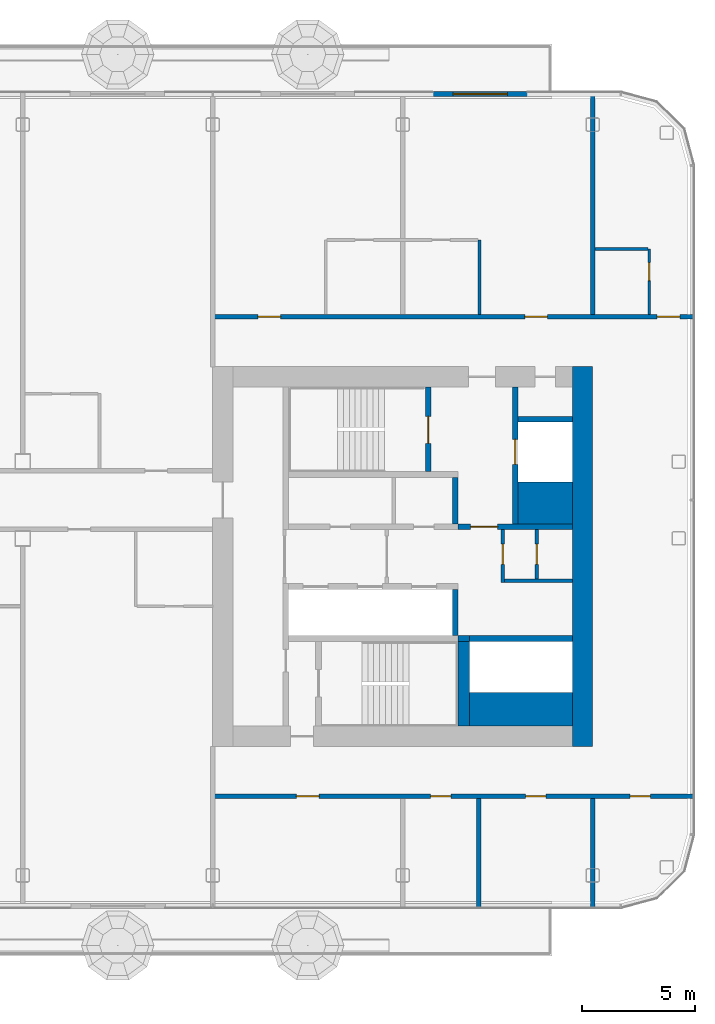
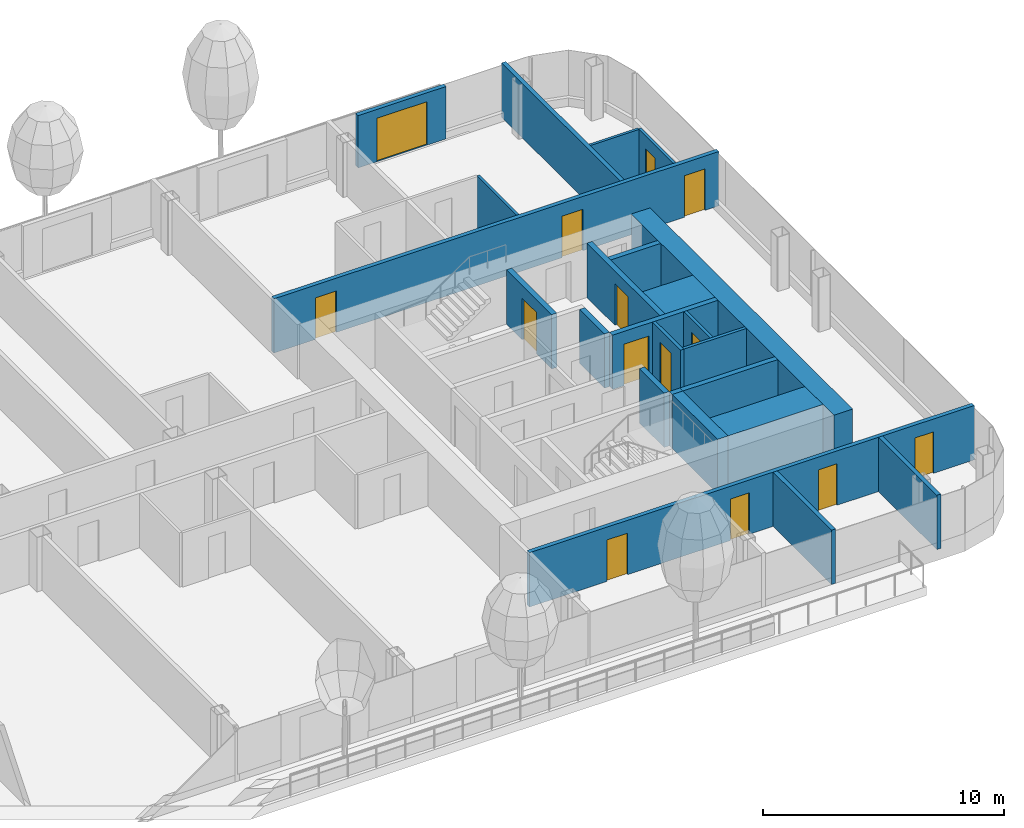
# One storey, part 15 of 28: 24 walls, 14 doors, 14 openings, 1 element without a shape of its own.
"""IFC4 building model written with IfcOpenShell, lengths in metres."""

from ifc_helpers import new_model, si_unit, direction, frame, frame_2d, origin, place, context, subcontext, project, spatial, rectangle, extrude, material, layer, layer_set, type_object, element, fill, aggregate, save


model = new_model("IFC4")

# Units and contexts
model_context = context("Model", 3, precision=1e-05, world=origin(), true_north=direction((0.0, 1.0)))
body_context = subcontext(model_context, "Body", "Model", "MODEL_VIEW")
ifc_project = project(units=[si_unit("LENGTHUNIT", "METRE"), si_unit("AREAUNIT", "SQUARE_METRE"), si_unit("VOLUMEUNIT", "CUBIC_METRE"), si_unit("PLANEANGLEUNIT", "RADIAN"), si_unit("MASSUNIT", "GRAM", prefix="KILO")], contexts=[model_context])

# Site, building, storey
site_placement = place(None, origin())
site = spatial("IfcSite", under=ifc_project, at=site_placement, CompositionType="ELEMENT")
building_placement = place(site_placement, origin())
building = spatial("IfcBuilding", under=site, at=building_placement, Name="Hakoniwa Tower and Hamabe Station Hall", CompositionType="ELEMENT")
storey_placement = place(building_placement, frame((0.0, 0.0, 218.60009765625)))
storey = spatial("IfcBuildingStorey", under=building, at=storey_placement, Name="L62", CompositionType="ELEMENT", Elevation=218.60009765625)

# Walls
ifc_material_1 = material(Name="Gypsum board partition", Category="gypsum")
ifc_layer_1 = layer(ifc_material_1, 0.125)
ifc_layer_set_1 = layer_set([ifc_layer_1], Name="Bathroom Partition 125")
wall_type_1 = type_object("IfcWallType", Name="Bathroom Partition 125", PredefinedType="PARTITIONING", material=ifc_layer_set_1)
wall_1_placement = place(storey_placement, frame((33.699951171875, 13.60009765625, 0.0), z_axis=(0.0, 0.0, 1.0), x_axis=(1.0, 0.0, 0.0)))
element("IfcWall", 1, at=wall_1_placement, inside=storey, type_object=wall_type_1, Name="GW-L62-012", PredefinedType="PARTITIONING", context=body_context, shape_type="SweptSolid", body=[
    extrude(rectangle(XDim=2.337646484375, YDim=0.125, at=frame_2d((1.1689453125, 0.0))), origin(), (0.0, 0.0, 1.0), 2.75),
])
wall_2_placement = place(storey_placement, frame((28.60009765625, 10.699951171875, 0.0), z_axis=(0.0, 0.0, 1.0), x_axis=(0.0, 1.0, 0.0)))
element("IfcWall", 2, at=wall_2_placement, inside=storey, type_object=wall_type_1, Name="GW-L62-043", PredefinedType="PARTITIONING", context=body_context, shape_type="SweptSolid", body=[
    extrude(rectangle(XDim=3.300048828125, YDim=0.125, at=frame_2d((1.64990234375, 0.0))), origin(), (0.0, 0.0, 1.0), 2.75),
])

# Wall, opening, door
wall_3_placement = place(storey_placement, frame((36.10009765625, 10.699951171875, 0.0), z_axis=(0.0, 0.0, 1.0), x_axis=(0.0, 1.0, 0.0)))
wall_3 = element("IfcWall", 3, at=wall_3_placement, inside=storey, type_object=wall_type_1, Name="GW-L62-046", PredefinedType="PARTITIONING", context=body_context, shape_type="SweptSolid", body=[
    extrude(rectangle(XDim=2.900146484375, YDim=0.125, at=frame_2d((1.4501953125, 0.0))), origin(), (0.0, 0.0, 1.0), 2.75),
])
opening_1_placement = place(wall_3_placement, frame((1.5, 0.0, 0.0)))
opening_1 = element("IfcOpeningElement", 4, at=opening_1_placement, cuts=wall_3, Name="Opening GD-G4A2-33", PredefinedType="OPENING", context=body_context, shape_type="SweptSolid", body=[
    extrude(rectangle(XDim=0.800048828125, YDim=2.10009765625, at=frame_2d((0.39990234375, 1.050048828125))), frame((0.0, 0.072509765625, 0.0), z_axis=(0.0, -1.0, 0.0), x_axis=(1.0, 0.0, 0.0)), (0.0, 0.0, 1.0), 0.14501953125),
])
ifc_material_2 = material(Name="Timber door leaf", Category="wood")
door_type_1 = type_object("IfcDoorType", Name="Bathroom Door 800", OperationType="SINGLE_SWING_LEFT", PredefinedType="DOOR", material=ifc_material_2)
door_1_placement = place(opening_1_placement, origin())
door_1 = element("IfcDoor", 5, at=door_1_placement, inside=storey, type_object=door_type_1, Name="Door GD-G4A2-33", OperationType="SINGLE_SWING_LEFT", OverallHeight=2.10009765625, OverallWidth=0.800048828125, PredefinedType="DOOR", context=body_context, shape_type="SweptSolid", body=[
    extrude(rectangle(XDim=0.800048828125, YDim=2.10009765625, at=frame_2d((0.39990234375, 1.050048828125))), frame((0.0, 0.02490234375, 0.0), z_axis=(0.0, -1.0, 0.0), x_axis=(1.0, 0.0, 0.0)), (0.0, 0.0, 1.0), 0.050048828125),
])
fill(opening_1, door_1)

ifc_material_3 = material(Name="Gypsum board partition")
ifc_layer_2 = layer(ifc_material_3, 0.14990234375)
ifc_layer_set_2 = layer_set([ifc_layer_2], Name="CORE PARTITION 150 EI 60")
wall_type_2 = type_object("IfcWallType", Name="CORE PARTITION 150 EI 60", PredefinedType="PARTITIONING", material=ifc_layer_set_2)
wall_4_placement = place(storey_placement, frame((29.625, -1.14990234375, 0.0), z_axis=(0.0, 0.0, 1.0), x_axis=(0.0, 1.0, 0.0)))
wall_4 = element("IfcWall", 6, at=wall_4_placement, inside=storey, type_object=wall_type_2, Name="Core partition PW0 east", PredefinedType="PARTITIONING", context=body_context, shape_type="SweptSolid", body=[
    extrude(rectangle(XDim=2.349853515625, YDim=0.14990234375, at=frame_2d((1.1748046875, 0.0))), origin(), (0.0, 0.0, 1.0), 2.75),
])
opening_2_placement = place(wall_4_placement, frame((0.800048828125, 0.0, 0.0)))
opening_2 = element("IfcOpeningElement", 7, at=opening_2_placement, cuts=wall_4, Name="Opening CD-E-RM1-9", PredefinedType="OPENING", context=body_context, shape_type="SweptSolid", body=[
    extrude(rectangle(XDim=0.89990234375, YDim=2.10009765625, at=frame_2d((0.449951171875, 1.050048828125))), frame((0.0, 0.0849609375, 0.0), z_axis=(0.0, -1.0, 0.0), x_axis=(1.0, 0.0, 0.0)), (0.0, 0.0, 1.0), 0.169921875),
])
ifc_material_4 = material(Name="Steel fire door", Category="steel")
door_type_2 = type_object("IfcDoorType", Name="CORE DOOR 900 FD30", OperationType="NOTDEFINED", PredefinedType="DOOR", material=ifc_material_4)
door_2_placement = place(opening_2_placement, origin())
door_2 = element("IfcDoor", 8, at=door_2_placement, inside=storey, type_object=door_type_2, Name="Store room door", OperationType="SINGLE_SWING_RIGHT", OverallHeight=2.10009765625, OverallWidth=0.89990234375, PredefinedType="DOOR", context=body_context, shape_type="SweptSolid", body=[
    extrude(rectangle(XDim=0.89990234375, YDim=2.10009765625, at=frame_2d((0.449951171875, 1.050048828125))), frame((0.0, 0.02490234375, 0.0), z_axis=(0.0, -1.0, 0.0), x_axis=(1.0, 0.0, 0.0)), (0.0, 0.0, 1.0), 0.050048828125),
])
fill(opening_2, door_2)

# Wall
wall_5_placement = place(storey_placement, frame((29.699951171875, -1.074951171875, 0.0), z_axis=(0.0, 0.0, 1.0), x_axis=(1.0, 0.0, 0.0)))
element("IfcWall", 9, at=wall_5_placement, inside=storey, type_object=wall_type_2, Name="Core partition PS east", PredefinedType="PARTITIONING", context=body_context, shape_type="SweptSolid", body=[
    extrude(rectangle(XDim=3.0, YDim=0.14990234375, at=frame_2d((1.5, 0.0))), origin(), (0.0, 0.0, 1.0), 2.75),
])

# Wall, opening, door
wall_6_placement = place(storey_placement, frame((31.125, -1.0, 0.0), z_axis=(0.0, 0.0, 1.0), x_axis=(0.0, 1.0, 0.0)))
wall_6 = element("IfcWall", 10, at=wall_6_placement, inside=storey, type_object=wall_type_2, Name="Core partition PW1 east", PredefinedType="PARTITIONING", context=body_context, shape_type="SweptSolid", body=[
    extrude(rectangle(XDim=2.199951171875, YDim=0.14990234375, at=frame_2d((1.10009765625, 0.0))), origin(), (0.0, 0.0, 1.0), 2.75),
])
opening_3_placement = place(wall_6_placement, frame((0.64990234375, 0.0, 0.0)))
opening_3 = element("IfcOpeningElement", 11, at=opening_3_placement, cuts=wall_6, Name="Opening CD-E-RM2-9", PredefinedType="OPENING", context=body_context, shape_type="SweptSolid", body=[
    extrude(rectangle(XDim=0.89990234375, YDim=2.10009765625, at=frame_2d((0.449951171875, 1.050048828125))), frame((0.0, 0.0849609375, 0.0), z_axis=(0.0, -1.0, 0.0), x_axis=(1.0, 0.0, 0.0)), (0.0, 0.0, 1.0), 0.169921875),
])
door_3_placement = place(opening_3_placement, origin())
door_3 = element("IfcDoor", 12, at=door_3_placement, inside=storey, type_object=door_type_2, Name="Store room door", OperationType="SINGLE_SWING_RIGHT", OverallHeight=2.10009765625, OverallWidth=0.89990234375, PredefinedType="DOOR", context=body_context, shape_type="SweptSolid", body=[
    extrude(rectangle(XDim=0.89990234375, YDim=2.10009765625, at=frame_2d((0.449951171875, 1.050048828125))), frame((0.0, 0.02490234375, 0.0), z_axis=(0.0, -1.0, 0.0), x_axis=(1.0, 0.0, 0.0)), (0.0, 0.0, 1.0), 0.050048828125),
])
fill(opening_3, door_3)

# Walls
ifc_material_5 = material(Name="Concrete C60", Category="concrete")
ifc_layer_3 = layer(ifc_material_5, 0.89990234375)
ifc_layer_set_3 = layer_set([ifc_layer_3], Name="CORE WALL 900 C60")
wall_type_3 = type_object("IfcWallType", Name="CORE WALL 900 C60", PredefinedType="SHEAR", material=ifc_layer_set_3)
wall_7_placement = place(storey_placement, frame((33.14990234375, -8.39990234375, 0.0), z_axis=(0.0, 0.0, 1.0), x_axis=(0.0, 1.0, 0.0)))
element("IfcWall", 13, at=wall_7_placement, inside=storey, type_object=wall_type_3, Name="Core wall OUTER east", PredefinedType="SHEAR", context=body_context, shape_type="SweptSolid", body=[
    extrude(rectangle(XDim=16.7998046875, YDim=0.89990234375, at=frame_2d((8.39990234375, 0.0))), origin(), (0.0, 0.0, 1.0), 2.75),
])
ifc_material_6 = material(Name="Concrete C60", Category="concrete")
ifc_layer_4 = layer(ifc_material_6, 1.5)
ifc_layer_set_4 = layer_set([ifc_layer_4], Name="CORE WEB WALL 1500 C60")
wall_type_4 = type_object("IfcWallType", Name="CORE WEB WALL 1500 C60", PredefinedType="SHEAR", material=ifc_layer_set_4)
wall_8_placement = place(storey_placement, frame((28.14990234375, -6.75, 0.0), z_axis=(0.0, 0.0, 1.0), x_axis=(1.0, 0.0, 0.0)))
element("IfcWall", 14, at=wall_8_placement, inside=storey, type_object=wall_type_4, Name="Core wall SER east", PredefinedType="SHEAR", context=body_context, shape_type="SweptSolid", body=[
    extrude(rectangle(XDim=4.550048828125, YDim=1.5, at=frame_2d((2.27490234375, 0.0))), origin(), (0.0, 0.0, 1.0), 2.75),
])
ifc_material_7 = material(Name="Concrete C60", Category="concrete")
ifc_layer_5 = layer(ifc_material_7, 1.85009765625)
ifc_layer_set_5 = layer_set([ifc_layer_5], Name="CORE WEB WALL 1850 C60")
wall_type_5 = type_object("IfcWallType", Name="CORE WEB WALL 1850 C60", PredefinedType="SHEAR", material=ifc_layer_set_5)
wall_9_placement = place(storey_placement, frame((30.300048828125, 2.375, 0.0), z_axis=(0.0, 0.0, 1.0), x_axis=(1.0, 0.0, 0.0)))
element("IfcWall", 15, at=wall_9_placement, inside=storey, type_object=wall_type_5, Name="Core wall CA east", PredefinedType="SHEAR", context=body_context, shape_type="SweptSolid", body=[
    extrude(rectangle(XDim=2.39990234375, YDim=1.85009765625, at=frame_2d((1.199951171875, 0.0))), origin(), (0.0, 0.0, 1.0), 2.75),
])
ifc_material_8 = material(Name="Concrete C60", Category="concrete")
ifc_layer_6 = layer(ifc_material_8, 0.25)
ifc_layer_set_6 = layer_set([ifc_layer_6], Name="CORE WEB WALL 250 C60")
wall_type_6 = type_object("IfcWallType", Name="CORE WEB WALL 250 C60", PredefinedType="SHEAR", material=ifc_layer_set_6)
wall_10_placement = place(storey_placement, frame((27.52490234375, 1.449951171875, 0.0), z_axis=(0.0, 0.0, 1.0), x_axis=(0.0, 1.0, 0.0)))
element("IfcWall", 16, at=wall_10_placement, inside=storey, type_object=wall_type_6, Name="Core wall NE east", PredefinedType="SHEAR", context=body_context, shape_type="SweptSolid", body=[
    extrude(rectangle(XDim=2.050048828125, YDim=0.25, at=frame_2d((1.02490234375, 0.0))), origin(), (0.0, 0.0, 1.0), 2.75),
])

# Wall, opening, door
wall_11_placement = place(storey_placement, frame((26.324951171875, 3.75, 0.0), z_axis=(0.0, 0.0, 1.0), x_axis=(0.0, 1.0, 0.0)))
wall_11 = element("IfcWall", 17, at=wall_11_placement, inside=storey, type_object=wall_type_6, Name="Core wall NSE east", PredefinedType="SHEAR", context=body_context, shape_type="SweptSolid", body=[
    extrude(rectangle(XDim=3.75, YDim=0.25, at=frame_2d((1.875, 0.0))), origin(), (0.0, 0.0, 1.0), 2.75),
])
opening_4_placement = place(wall_11_placement, frame((1.25, 0.0, 0.0)))
opening_4 = element("IfcOpeningElement", 18, at=opening_4_placement, cuts=wall_11, Name="Opening CD-E-SN-12", PredefinedType="OPENING", context=body_context, shape_type="SweptSolid", body=[
    extrude(rectangle(XDim=1.199951171875, YDim=2.10009765625, at=frame_2d((0.60009765625, 1.050048828125))), frame((0.0, 0.135009765625, 0.0), z_axis=(0.0, -1.0, 0.0), x_axis=(1.0, 0.0, 0.0)), (0.0, 0.0, 1.0), 0.27001953125),
])
ifc_material_9 = material(Name="Steel fire door", Category="steel")
door_type_3 = type_object("IfcDoorType", Name="CORE DOOR 1200 FD60", OperationType="DOUBLE_DOOR_SINGLE_SWING", PredefinedType="DOOR", material=ifc_material_9)
door_4_placement = place(opening_4_placement, origin())
door_4 = element("IfcDoor", 19, at=door_4_placement, inside=storey, type_object=door_type_3, Name="Escape stair door", OperationType="DOUBLE_DOOR_SINGLE_SWING", OverallHeight=2.10009765625, OverallWidth=1.199951171875, PredefinedType="DOOR", context=body_context, shape_type="SweptSolid", body=[
    extrude(rectangle(XDim=1.199951171875, YDim=2.10009765625, at=frame_2d((0.60009765625, 1.050048828125))), frame((0.0, 0.02490234375, 0.0), z_axis=(0.0, -1.0, 0.0), x_axis=(1.0, 0.0, 0.0)), (0.0, 0.0, 1.0), 0.050048828125),
])
fill(opening_4, door_4)

wall_12_placement = place(storey_placement, frame((27.64990234375, 1.324951171875, 0.0), z_axis=(0.0, 0.0, 1.0), x_axis=(1.0, 0.0, 0.0)))
wall_12 = element("IfcWall", 20, at=wall_12_placement, inside=storey, type_object=wall_type_6, Name="Core wall ELN east", PredefinedType="SHEAR", context=body_context, shape_type="SweptSolid", body=[
    extrude(rectangle(XDim=5.050048828125, YDim=0.25, at=frame_2d((2.52490234375, 0.0))), origin(), (0.0, 0.0, 1.0), 2.75),
])
opening_5_placement = place(wall_12_placement, frame((0.550048828125, 0.0, 0.0)))
opening_5 = element("IfcOpeningElement", 21, at=opening_5_placement, cuts=wall_12, Name="Opening CD-E-FL-12", PredefinedType="OPENING", context=body_context, shape_type="SweptSolid", body=[
    extrude(rectangle(XDim=1.199951171875, YDim=2.10009765625, at=frame_2d((0.60009765625, 1.050048828125))), frame((0.0, 0.135009765625, 0.0), z_axis=(0.0, -1.0, 0.0), x_axis=(1.0, 0.0, 0.0)), (0.0, 0.0, 1.0), 0.27001953125),
])
door_5_placement = place(opening_5_placement, origin())
door_5 = element("IfcDoor", 22, at=door_5_placement, inside=storey, type_object=door_type_3, Name="Stair vestibule door to the fire-fighting lobby", OperationType="DOUBLE_DOOR_SINGLE_SWING", OverallHeight=2.10009765625, OverallWidth=1.199951171875, PredefinedType="DOOR", context=body_context, shape_type="SweptSolid", body=[
    extrude(rectangle(XDim=1.199951171875, YDim=2.10009765625, at=frame_2d((0.60009765625, 1.050048828125))), frame((0.0, 0.02490234375, 0.0), z_axis=(0.0, -1.0, 0.0), x_axis=(1.0, 0.0, 0.0)), (0.0, 0.0, 1.0), 0.050048828125),
])
fill(opening_5, door_5)

wall_13_placement = place(storey_placement, frame((30.175048828125, 1.449951171875, 0.0), z_axis=(0.0, 0.0, 1.0), x_axis=(0.0, 1.0, 0.0)))
wall_13 = element("IfcWall", 23, at=wall_13_placement, inside=storey, type_object=wall_type_6, Name="Core wall FFF east", PredefinedType="SHEAR", context=body_context, shape_type="SweptSolid", body=[
    extrude(rectangle(XDim=6.050048828125, YDim=0.25, at=frame_2d((3.02490234375, 0.0))), origin(), (0.0, 0.0, 1.0), 2.75),
])
opening_6_placement = place(wall_13_placement, frame((2.625, 0.0, 0.0)))
opening_6 = element("IfcOpeningElement", 24, at=opening_6_placement, cuts=wall_13, Name="Opening LD-FF2", PredefinedType="OPENING", context=body_context, shape_type="SweptSolid", body=[
    extrude(rectangle(XDim=1.10009765625, YDim=2.10009765625, at=frame_2d((0.550048828125, 1.050048828125))), frame((0.0, 0.135009765625, 0.0), z_axis=(0.0, -1.0, 0.0), x_axis=(1.0, 0.0, 0.0)), (0.0, 0.0, 1.0), 0.27001953125),
])
ifc_material_10 = material(Name="Stainless steel SUS304", Category="steel")
door_type_4 = type_object("IfcDoorType", Name="LIFT LANDING DOOR 1100 FD60", OperationType="DOUBLE_DOOR_SLIDING", PredefinedType="DOOR", material=ifc_material_10)
door_6_placement = place(opening_6_placement, origin())
door_6 = element("IfcDoor", 25, at=door_6_placement, inside=storey, type_object=door_type_4, Name="Lift landing door FF2 L62", OperationType="DOUBLE_DOOR_SLIDING", OverallHeight=2.10009765625, OverallWidth=1.10009765625, PredefinedType="DOOR", context=body_context, shape_type="SweptSolid", body=[
    extrude(rectangle(XDim=1.10009765625, YDim=2.10009765625, at=frame_2d((0.550048828125, 1.050048828125))), frame((0.0, 0.02490234375, 0.0), z_axis=(0.0, -1.0, 0.0), x_axis=(1.0, 0.0, 0.0)), (0.0, 0.0, 1.0), 0.050048828125),
])
fill(opening_6, door_6)

# Walls
wall_14_placement = place(storey_placement, frame((30.300048828125, 6.074951171875, 0.0), z_axis=(0.0, 0.0, 1.0), x_axis=(1.0, 0.0, 0.0)))
element("IfcWall", 26, at=wall_14_placement, inside=storey, type_object=wall_type_6, Name="Core wall C2 east", PredefinedType="SHEAR", context=body_context, shape_type="SweptSolid", body=[
    extrude(rectangle(XDim=2.39990234375, YDim=0.25, at=frame_2d((1.199951171875, 0.0))), origin(), (0.0, 0.0, 1.0), 2.75),
])
wall_15_placement = place(storey_placement, frame((27.52490234375, -3.5, 0.0), z_axis=(0.0, 0.0, 1.0), x_axis=(0.0, 1.0, 0.0)))
element("IfcWall", 27, at=wall_15_placement, inside=storey, type_object=wall_type_6, Name="Core wall SE east", PredefinedType="SHEAR", context=body_context, shape_type="SweptSolid", body=[
    extrude(rectangle(XDim=2.050048828125, YDim=0.25, at=frame_2d((1.02490234375, 0.0))), origin(), (0.0, 0.0, 1.0), 2.75),
])
wall_16_placement = place(storey_placement, frame((28.14990234375, -3.625, 0.0), z_axis=(0.0, 0.0, 1.0), x_axis=(1.0, 0.0, 0.0)))
element("IfcWall", 28, at=wall_16_placement, inside=storey, type_object=wall_type_6, Name="Core wall SEF east", PredefinedType="SHEAR", context=body_context, shape_type="SweptSolid", body=[
    extrude(rectangle(XDim=4.550048828125, YDim=0.25, at=frame_2d((2.27490234375, 0.0))), origin(), (0.0, 0.0, 1.0), 2.75),
])
wall_17_placement = place(storey_placement, frame((27.64990234375, -3.625, 0.0), z_axis=(0.0, 0.0, 1.0), x_axis=(1.0, 0.0, 0.0)))
element("IfcWall", 29, at=wall_17_placement, inside=storey, type_object=wall_type_6, Name="Core wall SRK east", PredefinedType="SHEAR", context=body_context, shape_type="SweptSolid", body=[
    extrude(rectangle(XDim=0.5, YDim=0.25, at=frame_2d((0.25, 0.0))), origin(), (0.0, 0.0, 1.0), 2.75),
])
ifc_material_11 = material(Name="Concrete C60", Category="concrete")
ifc_layer_7 = layer(ifc_material_11, 0.5)
ifc_layer_set_7 = layer_set([ifc_layer_7], Name="CORE WEB WALL 500 C60")
wall_type_7 = type_object("IfcWallType", Name="CORE WEB WALL 500 C60", PredefinedType="SHEAR", material=ifc_layer_set_7)
wall_18_placement = place(storey_placement, frame((27.89990234375, -7.5, 0.0), z_axis=(0.0, 0.0, 1.0), x_axis=(0.0, 1.0, 0.0)))
element("IfcWall", 30, at=wall_18_placement, inside=storey, type_object=wall_type_7, Name="Core wall SSE east", PredefinedType="SHEAR", context=body_context, shape_type="SweptSolid", body=[
    extrude(rectangle(XDim=3.75, YDim=0.5, at=frame_2d((1.875, 0.0))), origin(), (0.0, 0.0, 1.0), 2.75),
])

# Wall, openings, doors
ifc_material_12 = material(Name="Fire-rated gypsum board partition", Category="gypsum")
ifc_layer_8 = layer(ifc_material_12, 0.199951171875)
ifc_layer_set_8 = layer_set([ifc_layer_8], Name="Corridor Wall 200")
wall_type_8 = type_object("IfcWallType", Name="Corridor Wall 200", PredefinedType="PARTITIONING", material=ifc_layer_set_8)
wall_19_placement = place(storey_placement, frame((16.800048828125, -10.60009765625, 0.0), z_axis=(0.0, 0.0, 1.0), x_axis=(1.0, 0.0, 0.0)))
wall_19 = element("IfcWall", 31, at=wall_19_placement, inside=storey, type_object=wall_type_8, Name="GW-L62-002", PredefinedType="PARTITIONING", context=body_context, shape_type="SweptSolid", body=[
    extrude(rectangle(XDim=21.300048828125, YDim=0.199951171875, at=frame_2d((10.64990234375, 0.0))), origin(), (0.0, 0.0, 1.0), 2.75),
])
opening_7_placement = place(wall_19_placement, frame((3.699951171875, 0.0, 0.0)))
opening_7 = element("IfcOpeningElement", 32, at=opening_7_placement, cuts=wall_19, Name="Opening GD-G4A2-05", PredefinedType="OPENING", context=body_context, shape_type="SweptSolid", body=[
    extrude(rectangle(XDim=1.0, YDim=2.10009765625, at=frame_2d((0.5, 1.050048828125))), frame((0.0, 0.10986328125, 0.0), z_axis=(0.0, -1.0, 0.0), x_axis=(1.0, 0.0, 0.0)), (0.0, 0.0, 1.0), 0.219970703125),
])
opening_8_placement = place(wall_19_placement, frame((9.6298828125, 0.0, 0.0)))
opening_8 = element("IfcOpeningElement", 33, at=opening_8_placement, cuts=wall_19, Name="Opening GD-G4A2-06", PredefinedType="OPENING", context=body_context, shape_type="SweptSolid", body=[
    extrude(rectangle(XDim=0.89990234375, YDim=2.10009765625, at=frame_2d((0.449951171875, 1.050048828125))), frame((0.0, 0.10986328125, 0.0), z_axis=(0.0, -1.0, 0.0), x_axis=(1.0, 0.0, 0.0)), (0.0, 0.0, 1.0), 0.219970703125),
])
opening_9_placement = place(wall_19_placement, frame((13.830078125, 0.0, 0.0)))
opening_9 = element("IfcOpeningElement", 34, at=opening_9_placement, cuts=wall_19, Name="Opening GD-G4A2-07", PredefinedType="OPENING", context=body_context, shape_type="SweptSolid", body=[
    extrude(rectangle(XDim=0.89990234375, YDim=2.10009765625, at=frame_2d((0.449951171875, 1.050048828125))), frame((0.0, 0.10986328125, 0.0), z_axis=(0.0, -1.0, 0.0), x_axis=(1.0, 0.0, 0.0)), (0.0, 0.0, 1.0), 0.219970703125),
])
opening_10_placement = place(wall_19_placement, frame((18.449951171875, 0.0, 0.0)))
opening_10 = element("IfcOpeningElement", 35, at=opening_10_placement, cuts=wall_19, Name="Opening GD-G4A2-08", PredefinedType="OPENING", context=body_context, shape_type="SweptSolid", body=[
    extrude(rectangle(XDim=0.89990234375, YDim=2.10009765625, at=frame_2d((0.449951171875, 1.050048828125))), frame((0.0, 0.10986328125, 0.0), z_axis=(0.0, -1.0, 0.0), x_axis=(1.0, 0.0, 0.0)), (0.0, 0.0, 1.0), 0.219970703125),
])
ifc_material_13 = material(Name="Timber door leaf", Category="wood")
door_type_5 = type_object("IfcDoorType", Name="Guest Entrance Door 1000", OperationType="SINGLE_SWING_LEFT", PredefinedType="DOOR", material=ifc_material_13)
door_7_placement = place(opening_7_placement, origin())
door_7 = element("IfcDoor", 36, at=door_7_placement, inside=storey, type_object=door_type_5, Name="Door GD-G4A2-05", OperationType="SINGLE_SWING_LEFT", OverallHeight=2.10009765625, OverallWidth=1.0, PredefinedType="DOOR", context=body_context, shape_type="SweptSolid", body=[
    extrude(rectangle(XDim=1.0, YDim=2.10009765625, at=frame_2d((0.5, 1.050048828125))), frame((0.0, 0.02490234375, 0.0), z_axis=(0.0, -1.0, 0.0), x_axis=(1.0, 0.0, 0.0)), (0.0, 0.0, 1.0), 0.050048828125),
])
fill(opening_7, door_7)
ifc_material_14 = material(Name="Timber door leaf", Category="wood")
door_type_6 = type_object("IfcDoorType", Name="Service Door 900", OperationType="SINGLE_SWING_LEFT", PredefinedType="DOOR", material=ifc_material_14)
door_8_placement = place(opening_8_placement, origin())
door_8 = element("IfcDoor", 37, at=door_8_placement, inside=storey, type_object=door_type_6, Name="Door GD-G4A2-06", OperationType="SINGLE_SWING_RIGHT", OverallHeight=2.10009765625, OverallWidth=0.89990234375, PredefinedType="DOOR", context=body_context, shape_type="SweptSolid", body=[
    extrude(rectangle(XDim=0.89990234375, YDim=2.10009765625, at=frame_2d((0.449951171875, 1.050048828125))), frame((0.0, 0.02490234375, 0.0), z_axis=(0.0, -1.0, 0.0), x_axis=(1.0, 0.0, 0.0)), (0.0, 0.0, 1.0), 0.050048828125),
])
fill(opening_8, door_8)
door_9_placement = place(opening_9_placement, origin())
door_9 = element("IfcDoor", 38, at=door_9_placement, inside=storey, type_object=door_type_6, Name="Door GD-G4A2-07", OperationType="SINGLE_SWING_LEFT", OverallHeight=2.10009765625, OverallWidth=0.89990234375, PredefinedType="DOOR", context=body_context, shape_type="SweptSolid", body=[
    extrude(rectangle(XDim=0.89990234375, YDim=2.10009765625, at=frame_2d((0.449951171875, 1.050048828125))), frame((0.0, 0.02490234375, 0.0), z_axis=(0.0, -1.0, 0.0), x_axis=(1.0, 0.0, 0.0)), (0.0, 0.0, 1.0), 0.050048828125),
])
fill(opening_9, door_9)
door_10_placement = place(opening_10_placement, origin())
door_10 = element("IfcDoor", 39, at=door_10_placement, inside=storey, type_object=door_type_6, Name="Door GD-G4A2-08", OperationType="SINGLE_SWING_LEFT", OverallHeight=2.10009765625, OverallWidth=0.89990234375, PredefinedType="DOOR", context=body_context, shape_type="SweptSolid", body=[
    extrude(rectangle(XDim=0.89990234375, YDim=2.10009765625, at=frame_2d((0.449951171875, 1.050048828125))), frame((0.0, 0.02490234375, 0.0), z_axis=(0.0, -1.0, 0.0), x_axis=(1.0, 0.0, 0.0)), (0.0, 0.0, 1.0), 0.050048828125),
])
fill(opening_10, door_10)

wall_20_placement = place(storey_placement, frame((16.800048828125, 10.60009765625, 0.0), z_axis=(0.0, 0.0, 1.0), x_axis=(1.0, 0.0, 0.0)))
wall_20 = element("IfcWall", 40, at=wall_20_placement, inside=storey, type_object=wall_type_8, Name="GW-L62-011", PredefinedType="PARTITIONING", context=body_context, shape_type="SweptSolid", body=[
    extrude(rectangle(XDim=21.300048828125, YDim=0.199951171875, at=frame_2d((10.64990234375, 0.0))), origin(), (0.0, 0.0, 1.0), 2.75),
])
opening_11_placement = place(wall_20_placement, frame((2.0, 0.0, 0.0)))
opening_11 = element("IfcOpeningElement", 41, at=opening_11_placement, cuts=wall_20, Name="Opening GD-G4A2-26", PredefinedType="OPENING", context=body_context, shape_type="SweptSolid", body=[
    extrude(rectangle(XDim=1.0, YDim=2.10009765625, at=frame_2d((0.5, 1.050048828125))), frame((0.0, 0.10986328125, 0.0), z_axis=(0.0, -1.0, 0.0), x_axis=(1.0, 0.0, 0.0)), (0.0, 0.0, 1.0), 0.219970703125),
])
opening_12_placement = place(wall_20_placement, frame((13.800048828125, 0.0, 0.0)))
opening_12 = element("IfcOpeningElement", 42, at=opening_12_placement, cuts=wall_20, Name="Opening GD-G4A2-27", PredefinedType="OPENING", context=body_context, shape_type="SweptSolid", body=[
    extrude(rectangle(XDim=1.0, YDim=2.10009765625, at=frame_2d((0.5, 1.050048828125))), frame((0.0, 0.10986328125, 0.0), z_axis=(0.0, -1.0, 0.0), x_axis=(1.0, 0.0, 0.0)), (0.0, 0.0, 1.0), 0.219970703125),
])
opening_13_placement = place(wall_20_placement, frame((19.64990234375, 0.0, 0.0)))
opening_13 = element("IfcOpeningElement", 43, at=opening_13_placement, cuts=wall_20, Name="Opening GD-G4A2-28", PredefinedType="OPENING", context=body_context, shape_type="SweptSolid", body=[
    extrude(rectangle(XDim=1.0, YDim=2.10009765625, at=frame_2d((0.5, 1.050048828125))), frame((0.0, 0.10986328125, 0.0), z_axis=(0.0, -1.0, 0.0), x_axis=(1.0, 0.0, 0.0)), (0.0, 0.0, 1.0), 0.219970703125),
])
door_11_placement = place(opening_11_placement, origin())
door_11 = element("IfcDoor", 44, at=door_11_placement, inside=storey, type_object=door_type_5, Name="Door GD-G4A2-26", OperationType="SINGLE_SWING_LEFT", OverallHeight=2.10009765625, OverallWidth=1.0, PredefinedType="DOOR", context=body_context, shape_type="SweptSolid", body=[
    extrude(rectangle(XDim=1.0, YDim=2.10009765625, at=frame_2d((0.5, 1.050048828125))), frame((0.0, 0.02490234375, 0.0), z_axis=(0.0, -1.0, 0.0), x_axis=(1.0, 0.0, 0.0)), (0.0, 0.0, 1.0), 0.050048828125),
])
fill(opening_11, door_11)
door_12_placement = place(opening_12_placement, origin())
door_12 = element("IfcDoor", 45, at=door_12_placement, inside=storey, type_object=door_type_5, Name="Door GD-G4A2-27", OperationType="SINGLE_SWING_RIGHT", OverallHeight=2.10009765625, OverallWidth=1.0, PredefinedType="DOOR", context=body_context, shape_type="SweptSolid", body=[
    extrude(rectangle(XDim=1.0, YDim=2.10009765625, at=frame_2d((0.5, 1.050048828125))), frame((0.0, 0.02490234375, 0.0), z_axis=(0.0, -1.0, 0.0), x_axis=(1.0, 0.0, 0.0)), (0.0, 0.0, 1.0), 0.050048828125),
])
fill(opening_12, door_12)
door_13_placement = place(opening_13_placement, origin())
door_13 = element("IfcDoor", 46, at=door_13_placement, inside=storey, type_object=door_type_5, Name="Door GD-G4A2-28", OperationType="SINGLE_SWING_RIGHT", OverallHeight=2.10009765625, OverallWidth=1.0, PredefinedType="DOOR", context=body_context, shape_type="SweptSolid", body=[
    extrude(rectangle(XDim=1.0, YDim=2.10009765625, at=frame_2d((0.5, 1.050048828125))), frame((0.0, 0.02490234375, 0.0), z_axis=(0.0, -1.0, 0.0), x_axis=(1.0, 0.0, 0.0)), (0.0, 0.0, 1.0), 0.050048828125),
])
fill(opening_13, door_13)

# Curtain wall, wall, opening, door
ifc_material_15 = material(Name="Dark low-e laminated glass", Category="glass")
ifc_layer_9 = layer(ifc_material_15, 0.199951171875)
ifc_layer_set_9 = layer_set([ifc_layer_9], Name="CW-1 UNITISED GUEST")
curtain_wall_type = type_object("IfcCurtainWallType", Name="CW-1 UNITISED GUEST", PredefinedType="NOTDEFINED", material=ifc_layer_set_9)
curtain_wall_placement = place(storey_placement, origin())
curtain_wall = element("IfcCurtainWall", 47, at=curtain_wall_placement, inside=storey, type_object=curtain_wall_type, Name="CW-1 curtain wall", PredefinedType="NOTDEFINED")
ifc_material_16 = material(Name="Dark glass-faced aluminium panel", Category="aluminium")
ifc_layer_10 = layer(ifc_material_16, 0.199951171875)
ifc_layer_set_10 = layer_set([ifc_layer_10], Name="DOOR BAY WALL")
wall_type_9 = type_object("IfcWallType", Name="DOOR BAY WALL", PredefinedType="NOTDEFINED", material=ifc_layer_set_10)
wall_21_placement = place(storey_placement, frame((30.735107421875, 20.449951171875, 0.0), z_axis=(0.0, 0.0, 1.0), x_axis=(-1.0, 0.0, 0.0)))
wall_21 = element("IfcWall", 48, at=wall_21_placement, type_object=wall_type_9, Name="Door bay wall", PredefinedType="NOTDEFINED", context=body_context, shape_type="SweptSolid", body=[
    extrude(rectangle(XDim=4.22021484375, YDim=0.199951171875, at=frame_2d((2.110107421875, 0.0))), origin(), (0.0, 0.0, 1.0), 2.64990234375),
])
opening_14_placement = place(wall_21_placement, frame((0.909912109375, 0.0, 0.0)))
opening_14 = element("IfcOpeningElement", 49, at=opening_14_placement, cuts=wall_21, Name="Opening BD-N03-7", PredefinedType="OPENING", context=body_context, shape_type="SweptSolid", body=[
    extrude(rectangle(XDim=2.39990234375, YDim=2.199951171875, at=frame_2d((1.199951171875, 1.10009765625))), frame((0.0, 0.10986328125, 0.0), z_axis=(0.0, -1.0, 0.0), x_axis=(1.0, 0.0, 0.0)), (0.0, 0.0, 1.0), 0.219970703125),
])
ifc_material_17 = material(Name="Dark low-e laminated glass", Category="glass")
door_type_7 = type_object("IfcDoorType", Name="BALCONY SLIDING DOOR 2400X2200", OperationType="SLIDING_TO_LEFT", PredefinedType="DOOR", material=ifc_material_17)
door_14_placement = place(opening_14_placement, frame((2.39990234375, 0.0, 0.0), z_axis=(0.0, 0.0, 1.0), x_axis=(-1.0, 0.0, 0.0)))
door_14 = element("IfcDoor", 50, at=door_14_placement, inside=storey, type_object=door_type_7, Name="Balcony sliding door", OperationType="SLIDING_TO_LEFT", OverallHeight=2.199951171875, OverallWidth=2.39990234375, PredefinedType="DOOR", context=body_context, shape_type="SweptSolid", body=[
    extrude(rectangle(XDim=2.39990234375, YDim=2.199951171875, at=frame_2d((1.199951171875, 1.10009765625))), frame((0.0, 0.02490234375, 0.0), z_axis=(0.0, -1.0, 0.0), x_axis=(1.0, 0.0, 0.0)), (0.0, 0.0, 1.0), 0.050048828125),
])
fill(opening_14, door_14)
aggregate(curtain_wall, [wall_21])

# Walls
ifc_material_18 = material(Name="Fire-rated gypsum board partition", Category="gypsum")
ifc_layer_11 = layer(ifc_material_18, 0.199951171875)
ifc_layer_set_11 = layer_set([ifc_layer_11], Name="Party Wall 200")
wall_type_10 = type_object("IfcWallType", Name="Party Wall 200", PredefinedType="PARTITIONING", material=ifc_layer_set_11)
for number, where, z_axis, x_axis, name in (
    (51, (28.56005859375, -15.550048828125, 0.0), (0.0, 0.0, 1.0), (0.0, 1.0, 0.0), "GW-L62-042"),
    (52, (33.60009765625, -15.550048828125, 0.0), (0.0, 0.0, 1.0), (0.0, 1.0, 0.0), "GW-L62-044"),
):
    element("IfcWall", number, at=place(storey_placement, frame(where, z_axis=z_axis, x_axis=x_axis)), inside=storey, type_object=wall_type_10, Name=name, PredefinedType="PARTITIONING", context=body_context, shape_type="SweptSolid", body=[
        extrude(rectangle(XDim=4.85009765625, YDim=0.199951171875, at=frame_2d((2.425048828125, 0.0))), origin(), (0.0, 0.0, 1.0), 2.75),
    ])
wall_22_placement = place(storey_placement, frame((33.60009765625, 10.699951171875, 0.0), z_axis=(0.0, 0.0, 1.0), x_axis=(0.0, 1.0, 0.0)))
element("IfcWall", 53, at=wall_22_placement, inside=storey, type_object=wall_type_10, Name="GW-L62-045", PredefinedType="PARTITIONING", context=body_context, shape_type="SweptSolid", body=[
    extrude(rectangle(XDim=9.85009765625, YDim=0.199951171875, at=frame_2d((4.925048828125, 0.0))), origin(), (0.0, 0.0, 1.0), 2.75),
])

save(model, "model.ifc")
